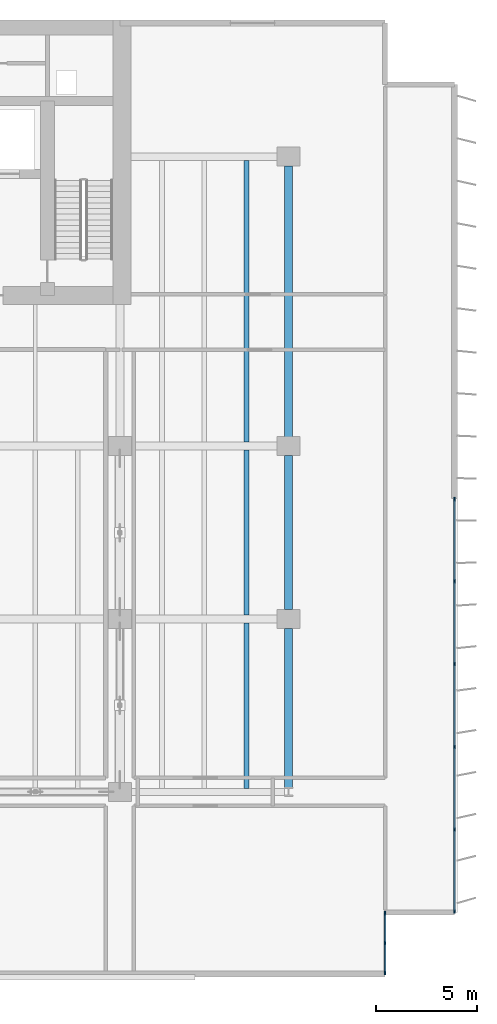
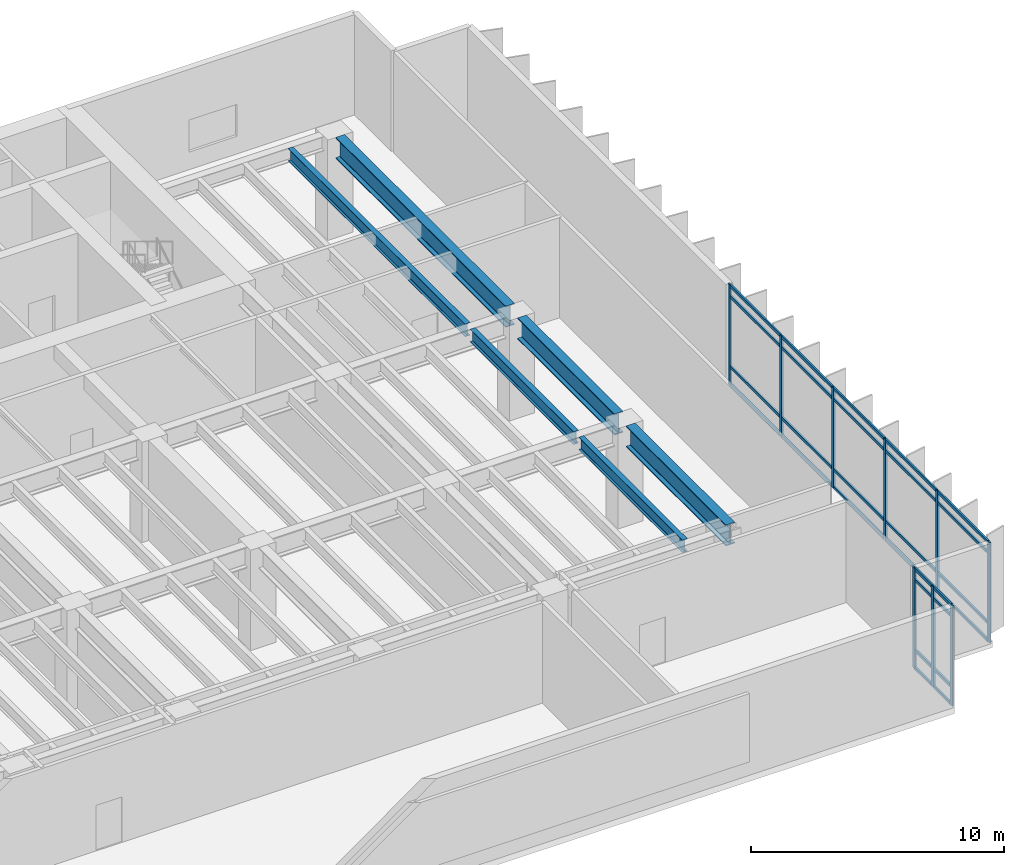
# One storey, part 10 of 21: 37 members, 6 beams, 2 elements without a shape of their own.
"""IFC4 building model written with IfcOpenShell, lengths in metres."""

from ifc_helpers import new_model, si_unit, direction, frame, origin, origin_2d, place, context, subcontext, project, spatial, rectangle, i_section, extrude, material, layer, layer_set, material_profile, profile_set, type_object, element, aggregate, save


model = new_model("IFC4")

# Units and contexts
model_context = context("Model", 3, precision=1e-05, world=origin(), true_north=direction((0.0, 1.0)))
body_context = subcontext(model_context, "Body", "Model", "MODEL_VIEW")
ifc_project = project(units=[si_unit("LENGTHUNIT", "METRE"), si_unit("AREAUNIT", "SQUARE_METRE"), si_unit("VOLUMEUNIT", "CUBIC_METRE"), si_unit("PLANEANGLEUNIT", "RADIAN"), si_unit("MASSUNIT", "GRAM", prefix="KILO")], contexts=[model_context])

# Site, building, storey
site_placement = place(None, origin())
site = spatial("IfcSite", under=ifc_project, at=site_placement, CompositionType="ELEMENT")
building_placement = place(site_placement, origin())
building = spatial("IfcBuilding", under=site, at=building_placement, Name="Caelmar Bay Residences", CompositionType="ELEMENT")
storey_placement = place(building_placement, frame((0.0, 0.0, 79.5)))
storey = spatial("IfcBuildingStorey", under=building, at=storey_placement, Name="L21", CompositionType="ELEMENT", Elevation=79.5)

# Beams
ifc_material_1 = material(Name="Steel ASTM A992 Grade 50", Category="steel")
ifc_material_profile_1 = material_profile(ifc_material_1, i_section(OverallWidth=0.404052734375, OverallDepth=1.02099609375, WebThickness=0.025390625, FlangeThickness=0.0458984375, FilletRadius=0.02294921875, at=origin_2d()), Name="W40X324")
ifc_profile_set_1 = profile_set([ifc_material_profile_1], Name="Steel ASTM A992 Grade 50")
beam_type_1 = type_object("IfcBeamType", Name="BM-GRD-W40X324", PredefinedType="BEAM", material=ifc_profile_set_1)
beam_1_placement = place(storey_placement, frame((67.89990234375, 12.427490234375, 4.339599609375), z_axis=(0.0, 1.0, 0.0), x_axis=(-1.0, 0.0, 0.0)))
element("IfcBeam", 1, at=beam_1_placement, inside=storey, type_object=beam_type_1, Name="L21 North-South Girder X=67.90 (12.2-20.8)", PredefinedType="BEAM", context=body_context, shape_type="SweptSolid", body=[
    extrude(i_section(OverallWidth=0.404052734375, OverallDepth=1.02099609375, WebThickness=0.025390625, FlangeThickness=0.0458984375, FilletRadius=0.02294921875, at=origin_2d()), origin(), (0.0, 0.0, 1.0), 7.907470703125),
])
beam_2_placement = place(storey_placement, frame((67.89990234375, 21.264892578125, 4.339599609375), z_axis=(0.0, 1.0, 0.0), x_axis=(-1.0, 0.0, 0.0)))
element("IfcBeam", 2, at=beam_2_placement, inside=storey, type_object=beam_type_1, Name="L21 North-South Girder X=67.90 (20.8-29.4)", PredefinedType="BEAM", context=body_context, shape_type="SweptSolid", body=[
    extrude(i_section(OverallWidth=0.404052734375, OverallDepth=1.02099609375, WebThickness=0.025390625, FlangeThickness=0.0458984375, FilletRadius=0.02294921875, at=origin_2d()), origin(), (0.0, 0.0, 1.0), 7.670166015625),
])
beam_3_placement = place(storey_placement, frame((67.89990234375, 29.864990234375, 4.339599609375), z_axis=(0.0, 1.0, 0.0), x_axis=(-1.0, 0.0, 0.0)))
element("IfcBeam", 3, at=beam_3_placement, inside=storey, type_object=beam_type_1, Name="L21 North-South Girder X=67.90 (29.4-43.8)", PredefinedType="BEAM", context=body_context, shape_type="SweptSolid", body=[
    extrude(i_section(OverallWidth=0.404052734375, OverallDepth=1.02099609375, WebThickness=0.025390625, FlangeThickness=0.0458984375, FilletRadius=0.02294921875, at=origin_2d()), origin(), (0.0, 0.0, 1.0), 13.469970703125),
])
ifc_material_profile_2 = material_profile(ifc_material_1, i_section(OverallWidth=0.22900390625, OverallDepth=0.612060546875, WebThickness=0.011962890625, FlangeThickness=0.01953125, FilletRadius=0.0126953125, at=origin_2d()), Name="W24X84")
ifc_profile_set_2 = profile_set([ifc_material_profile_2], Name="Steel ASTM A992 Grade 50")
beam_type_2 = type_object("IfcBeamType", Name="BM-JST-W24X84", PredefinedType="JOIST", material=ifc_profile_set_2)
beam_4_placement = place(storey_placement, frame((65.800048828125, 12.3779296875, 4.5439453125), z_axis=(0.0, 1.0, 0.0), x_axis=(-1.0, 0.0, 0.0)))
element("IfcBeam", 4, at=beam_4_placement, inside=storey, type_object=beam_type_2, Name="L21 Composite Floor Joist 21", PredefinedType="JOIST", context=body_context, shape_type="SweptSolid", body=[
    extrude(i_section(OverallWidth=0.22900390625, OverallDepth=0.612060546875, WebThickness=0.011962890625, FlangeThickness=0.01953125, FilletRadius=0.0126953125, at=origin_2d()), origin(), (0.0, 0.0, 1.0), 8.219970703125),
])
beam_5_placement = place(storey_placement, frame((65.800048828125, 21.001953125, 4.5439453125), z_axis=(0.0, 1.0, 0.0), x_axis=(-1.0, 0.0, 0.0)))
element("IfcBeam", 5, at=beam_5_placement, inside=storey, type_object=beam_type_2, Name="L21 Composite Floor Joist 42", PredefinedType="JOIST", context=body_context, shape_type="SweptSolid", body=[
    extrude(i_section(OverallWidth=0.22900390625, OverallDepth=0.612060546875, WebThickness=0.011962890625, FlangeThickness=0.01953125, FilletRadius=0.0126953125, at=origin_2d()), origin(), (0.0, 0.0, 1.0), 8.196044921875),
])
beam_6_placement = place(storey_placement, frame((65.800048828125, 29.60205078125, 4.5439453125), z_axis=(0.0, 1.0, 0.0), x_axis=(-1.0, 0.0, 0.0)))
element("IfcBeam", 6, at=beam_6_placement, inside=storey, type_object=beam_type_2, Name="L21 Composite Floor Joist 53", PredefinedType="JOIST", context=body_context, shape_type="SweptSolid", body=[
    extrude(i_section(OverallWidth=0.22900390625, OverallDepth=0.612060546875, WebThickness=0.011962890625, FlangeThickness=0.01953125, FilletRadius=0.0126953125, at=origin_2d()), origin(), (0.0, 0.0, 1.0), 14.02001953125),
])

# Curtain wall, members
ifc_material_2 = material(Name="Anodised bronze aluminium 6063-T6 and laminated glass", Category="aluminium")
ifc_layer_1 = layer(ifc_material_2, 0.179931640625)
ifc_layer_set_1 = layer_set([ifc_layer_1], Name="Anodised bronze aluminium 6063-T6 and laminated glass")
curtain_wall_type_1 = type_object("IfcCurtainWallType", Name="CW6-NTC", PredefinedType="NOTDEFINED", material=ifc_layer_set_1)
curtain_wall_1_placement = place(storey_placement, origin())
curtain_wall_1 = element("IfcCurtainWall", 7, at=curtain_wall_1_placement, inside=storey, type_object=curtain_wall_type_1, Name="CW6 curtain wall L21", PredefinedType="NOTDEFINED")
ifc_material_3 = material(Name="Anodised bronze aluminium 6063-T6", Category="aluminium")
ifc_material_profile_3 = material_profile(ifc_material_3, rectangle(XDim=0.080078125, YDim=0.179931640625, at=origin_2d()), Name="CWM-80X180")
ifc_profile_set_3 = profile_set([ifc_material_profile_3], Name="Anodised bronze aluminium 6063-T6")
member_type_1 = type_object("IfcMemberType", Name="CWM-180", PredefinedType="MULLION", material=ifc_profile_set_3)
member_1_placement = place(storey_placement, frame((72.699951171875, 3.18994140625, 0.0), z_axis=(0.0, 0.0, 1.0), x_axis=(-1.0, 0.0, 0.0)))
member_1 = element("IfcMember", 8, at=member_1_placement, type_object=member_type_1, Name="CW6 mullion 1", PredefinedType="MULLION", context=body_context, shape_type="SweptSolid", body=[
    extrude(rectangle(XDim=0.080078125, YDim=0.179931640625, at=origin_2d()), origin(), (0.0, 0.0, 1.0), 4.85009765625),
])
member_2_placement = place(storey_placement, frame((72.699951171875, 4.675048828125, 0.0), z_axis=(0.0, 0.0, 1.0), x_axis=(-1.0, 0.0, 0.0)))
member_2 = element("IfcMember", 9, at=member_2_placement, type_object=member_type_1, Name="CW6 mullion 2", PredefinedType="MULLION", context=body_context, shape_type="SweptSolid", body=[
    extrude(rectangle(XDim=0.080078125, YDim=0.179931640625, at=origin_2d()), origin(), (0.0, 0.0, 1.0), 4.85009765625),
])
member_3_placement = place(storey_placement, frame((72.699951171875, 6.159912109375, 0.0), z_axis=(0.0, 0.0, 1.0), x_axis=(-1.0, 0.0, 0.0)))
member_3 = element("IfcMember", 10, at=member_3_placement, type_object=member_type_1, Name="CW6 mullion 3", PredefinedType="MULLION", context=body_context, shape_type="SweptSolid", body=[
    extrude(rectangle(XDim=0.080078125, YDim=0.179931640625, at=origin_2d()), origin(), (0.0, 0.0, 1.0), 4.85009765625),
])

ifc_layer_2 = layer(ifc_material_2, 0.179931640625)
ifc_layer_set_2 = layer_set([ifc_layer_2], Name="Anodised bronze aluminium 6063-T6 and laminated glass")
curtain_wall_type_2 = type_object("IfcCurtainWallType", Name="CW2-Z1", PredefinedType="NOTDEFINED", material=ifc_layer_set_2)
curtain_wall_2_placement = place(storey_placement, origin())
curtain_wall_2 = element("IfcCurtainWall", 11, at=curtain_wall_2_placement, inside=storey, type_object=curtain_wall_type_2, Name="CW2 curtain wall L21", PredefinedType="NOTDEFINED")
member_4_placement = place(storey_placement, frame((76.14990234375, 26.760009765625, 0.0), z_axis=(0.0, 0.0, 1.0), x_axis=(1.0, 0.0, 0.0)))
member_4 = element("IfcMember", 12, at=member_4_placement, type_object=member_type_1, Name="CW2 mullion 1", PredefinedType="MULLION", context=body_context, shape_type="SweptSolid", body=[
    extrude(rectangle(XDim=0.080078125, YDim=0.179931640625, at=origin_2d()), origin(), (0.0, 0.0, 1.0), 4.85009765625),
])
member_5_placement = place(storey_placement, frame((76.14990234375, 22.679931640625, 0.0), z_axis=(0.0, 0.0, 1.0), x_axis=(1.0, 0.0, 0.0)))
member_5 = element("IfcMember", 13, at=member_5_placement, type_object=member_type_1, Name="CW2 mullion 2", PredefinedType="MULLION", context=body_context, shape_type="SweptSolid", body=[
    extrude(rectangle(XDim=0.080078125, YDim=0.179931640625, at=origin_2d()), origin(), (0.0, 0.0, 1.0), 4.85009765625),
])
member_6_placement = place(storey_placement, frame((76.14990234375, 18.56005859375, 0.0), z_axis=(0.0, 0.0, 1.0), x_axis=(1.0, 0.0, 0.0)))
member_6 = element("IfcMember", 14, at=member_6_placement, type_object=member_type_1, Name="CW2 mullion 3", PredefinedType="MULLION", context=body_context, shape_type="SweptSolid", body=[
    extrude(rectangle(XDim=0.080078125, YDim=0.179931640625, at=origin_2d()), origin(), (0.0, 0.0, 1.0), 4.85009765625),
])
member_7_placement = place(storey_placement, frame((76.14990234375, 14.43994140625, 0.0), z_axis=(0.0, 0.0, 1.0), x_axis=(1.0, 0.0, 0.0)))
member_7 = element("IfcMember", 15, at=member_7_placement, type_object=member_type_1, Name="CW2 mullion 4", PredefinedType="MULLION", context=body_context, shape_type="SweptSolid", body=[
    extrude(rectangle(XDim=0.080078125, YDim=0.179931640625, at=origin_2d()), origin(), (0.0, 0.0, 1.0), 4.85009765625),
])
member_8_placement = place(storey_placement, frame((76.14990234375, 10.320068359375, 0.0), z_axis=(0.0, 0.0, 1.0), x_axis=(1.0, 0.0, 0.0)))
member_8 = element("IfcMember", 16, at=member_8_placement, type_object=member_type_1, Name="CW2 mullion 5", PredefinedType="MULLION", context=body_context, shape_type="SweptSolid", body=[
    extrude(rectangle(XDim=0.080078125, YDim=0.179931640625, at=origin_2d()), origin(), (0.0, 0.0, 1.0), 4.85009765625),
])
member_9_placement = place(storey_placement, frame((76.14990234375, 6.239990234375, 0.0), z_axis=(0.0, 0.0, 1.0), x_axis=(1.0, 0.0, 0.0)))
member_9 = element("IfcMember", 17, at=member_9_placement, type_object=member_type_1, Name="CW2 mullion 6", PredefinedType="MULLION", context=body_context, shape_type="SweptSolid", body=[
    extrude(rectangle(XDim=0.080078125, YDim=0.179931640625, at=origin_2d()), origin(), (0.0, 0.0, 1.0), 4.85009765625),
])

# Member
ifc_material_profile_4 = material_profile(ifc_material_3, rectangle(XDim=0.080078125, YDim=0.139892578125, at=origin_2d()), Name="CWT-80X140")
ifc_profile_set_4 = profile_set([ifc_material_profile_4], Name="Anodised bronze aluminium 6063-T6")
member_type_2 = type_object("IfcMemberType", Name="CWT-140", PredefinedType="NOTDEFINED", material=ifc_profile_set_4)
member_10_placement = place(storey_placement, frame((72.699951171875, 3.22998046875, 0.0400390625), z_axis=(0.0, 1.0, 0.0), x_axis=(-1.0, 0.0, 0.0)))
member_10 = element("IfcMember", 18, at=member_10_placement, type_object=member_type_2, Name="CW6 transom 1.1", ObjectType="TRANSOM", PredefinedType="USERDEFINED", context=body_context, shape_type="SweptSolid", body=[
    extrude(rectangle(XDim=0.080078125, YDim=0.139892578125, at=origin_2d()), origin(), (0.0, 0.0, 1.0), 1.405029296875),
])

member_11_placement = place(storey_placement, frame((72.699951171875, 3.22998046875, 0.89990234375), z_axis=(0.0, 1.0, 0.0), x_axis=(-1.0, 0.0, 0.0)))
member_11 = element("IfcMember", 19, at=member_11_placement, type_object=member_type_2, Name="CW6 transom 1.2", ObjectType="TRANSOM", PredefinedType="USERDEFINED", context=body_context, shape_type="SweptSolid", body=[
    extrude(rectangle(XDim=0.080078125, YDim=0.139892578125, at=origin_2d()), origin(), (0.0, 0.0, 1.0), 1.405029296875),
])

member_12_placement = place(storey_placement, frame((72.699951171875, 3.22998046875, 4.300048828125), z_axis=(0.0, 1.0, 0.0), x_axis=(-1.0, 0.0, 0.0)))
member_12 = element("IfcMember", 20, at=member_12_placement, type_object=member_type_2, Name="CW6 transom 1.3", ObjectType="TRANSOM", PredefinedType="USERDEFINED", context=body_context, shape_type="SweptSolid", body=[
    extrude(rectangle(XDim=0.080078125, YDim=0.139892578125, at=origin_2d()), origin(), (0.0, 0.0, 1.0), 1.405029296875),
])

member_13_placement = place(storey_placement, frame((72.699951171875, 3.22998046875, 4.81005859375), z_axis=(0.0, 1.0, 0.0), x_axis=(-1.0, 0.0, 0.0)))
member_13 = element("IfcMember", 21, at=member_13_placement, type_object=member_type_2, Name="CW6 transom 1.4", ObjectType="TRANSOM", PredefinedType="USERDEFINED", context=body_context, shape_type="SweptSolid", body=[
    extrude(rectangle(XDim=0.080078125, YDim=0.139892578125, at=origin_2d()), origin(), (0.0, 0.0, 1.0), 1.405029296875),
])

member_14_placement = place(storey_placement, frame((72.699951171875, 4.715087890625, 0.0400390625), z_axis=(0.0, 1.0, 0.0), x_axis=(-1.0, 0.0, 0.0)))
member_14 = element("IfcMember", 22, at=member_14_placement, type_object=member_type_2, Name="CW6 transom 2.1", ObjectType="TRANSOM", PredefinedType="USERDEFINED", context=body_context, shape_type="SweptSolid", body=[
    extrude(rectangle(XDim=0.080078125, YDim=0.139892578125, at=origin_2d()), origin(), (0.0, 0.0, 1.0), 1.405029296875),
])

member_15_placement = place(storey_placement, frame((72.699951171875, 4.715087890625, 0.89990234375), z_axis=(0.0, 1.0, 0.0), x_axis=(-1.0, 0.0, 0.0)))
member_15 = element("IfcMember", 23, at=member_15_placement, type_object=member_type_2, Name="CW6 transom 2.2", ObjectType="TRANSOM", PredefinedType="USERDEFINED", context=body_context, shape_type="SweptSolid", body=[
    extrude(rectangle(XDim=0.080078125, YDim=0.139892578125, at=origin_2d()), origin(), (0.0, 0.0, 1.0), 1.405029296875),
])

member_16_placement = place(storey_placement, frame((72.699951171875, 4.715087890625, 4.300048828125), z_axis=(0.0, 1.0, 0.0), x_axis=(-1.0, 0.0, 0.0)))
member_16 = element("IfcMember", 24, at=member_16_placement, type_object=member_type_2, Name="CW6 transom 2.3", ObjectType="TRANSOM", PredefinedType="USERDEFINED", context=body_context, shape_type="SweptSolid", body=[
    extrude(rectangle(XDim=0.080078125, YDim=0.139892578125, at=origin_2d()), origin(), (0.0, 0.0, 1.0), 1.405029296875),
])

member_17_placement = place(storey_placement, frame((72.699951171875, 4.715087890625, 4.81005859375), z_axis=(0.0, 1.0, 0.0), x_axis=(-1.0, 0.0, 0.0)))
member_17 = element("IfcMember", 25, at=member_17_placement, type_object=member_type_2, Name="CW6 transom 2.4", ObjectType="TRANSOM", PredefinedType="USERDEFINED", context=body_context, shape_type="SweptSolid", body=[
    extrude(rectangle(XDim=0.080078125, YDim=0.139892578125, at=origin_2d()), origin(), (0.0, 0.0, 1.0), 1.405029296875),
])

aggregate(curtain_wall_1, [member_1, member_2, member_3, member_10, member_11, member_12, member_13, member_14, member_15, member_16, member_17])

member_18_placement = place(storey_placement, frame((76.14990234375, 26.719970703125, 0.0400390625), z_axis=(0.0, -1.0, 0.0), x_axis=(1.0, 0.0, 0.0)))
member_18 = element("IfcMember", 26, at=member_18_placement, type_object=member_type_2, Name="CW2 transom 1.1", ObjectType="TRANSOM", PredefinedType="USERDEFINED", context=body_context, shape_type="SweptSolid", body=[
    extrude(rectangle(XDim=0.080078125, YDim=0.139892578125, at=origin_2d()), origin(), (0.0, 0.0, 1.0), 4.0),
])

member_19_placement = place(storey_placement, frame((76.14990234375, 26.719970703125, 0.89990234375), z_axis=(0.0, -1.0, 0.0), x_axis=(1.0, 0.0, 0.0)))
member_19 = element("IfcMember", 27, at=member_19_placement, type_object=member_type_2, Name="CW2 transom 1.2", ObjectType="TRANSOM", PredefinedType="USERDEFINED", context=body_context, shape_type="SweptSolid", body=[
    extrude(rectangle(XDim=0.080078125, YDim=0.139892578125, at=origin_2d()), origin(), (0.0, 0.0, 1.0), 4.0),
])

member_20_placement = place(storey_placement, frame((76.14990234375, 26.719970703125, 4.300048828125), z_axis=(0.0, -1.0, 0.0), x_axis=(1.0, 0.0, 0.0)))
member_20 = element("IfcMember", 28, at=member_20_placement, type_object=member_type_2, Name="CW2 transom 1.3", ObjectType="TRANSOM", PredefinedType="USERDEFINED", context=body_context, shape_type="SweptSolid", body=[
    extrude(rectangle(XDim=0.080078125, YDim=0.139892578125, at=origin_2d()), origin(), (0.0, 0.0, 1.0), 4.0),
])

member_21_placement = place(storey_placement, frame((76.14990234375, 26.719970703125, 4.81005859375), z_axis=(0.0, -1.0, 0.0), x_axis=(1.0, 0.0, 0.0)))
member_21 = element("IfcMember", 29, at=member_21_placement, type_object=member_type_2, Name="CW2 transom 1.4", ObjectType="TRANSOM", PredefinedType="USERDEFINED", context=body_context, shape_type="SweptSolid", body=[
    extrude(rectangle(XDim=0.080078125, YDim=0.139892578125, at=origin_2d()), origin(), (0.0, 0.0, 1.0), 4.0),
])

member_22_placement = place(storey_placement, frame((76.14990234375, 22.639892578125, 0.0400390625), z_axis=(0.0, -1.0, 0.0), x_axis=(1.0, 0.0, 0.0)))
member_22 = element("IfcMember", 30, at=member_22_placement, type_object=member_type_2, Name="CW2 transom 2.1", ObjectType="TRANSOM", PredefinedType="USERDEFINED", context=body_context, shape_type="SweptSolid", body=[
    extrude(rectangle(XDim=0.080078125, YDim=0.139892578125, at=origin_2d()), origin(), (0.0, 0.0, 1.0), 4.039794921875),
])

member_23_placement = place(storey_placement, frame((76.14990234375, 22.639892578125, 0.89990234375), z_axis=(0.0, -1.0, 0.0), x_axis=(1.0, 0.0, 0.0)))
member_23 = element("IfcMember", 31, at=member_23_placement, type_object=member_type_2, Name="CW2 transom 2.2", ObjectType="TRANSOM", PredefinedType="USERDEFINED", context=body_context, shape_type="SweptSolid", body=[
    extrude(rectangle(XDim=0.080078125, YDim=0.139892578125, at=origin_2d()), origin(), (0.0, 0.0, 1.0), 4.039794921875),
])

member_24_placement = place(storey_placement, frame((76.14990234375, 22.639892578125, 4.300048828125), z_axis=(0.0, -1.0, 0.0), x_axis=(1.0, 0.0, 0.0)))
member_24 = element("IfcMember", 32, at=member_24_placement, type_object=member_type_2, Name="CW2 transom 2.3", ObjectType="TRANSOM", PredefinedType="USERDEFINED", context=body_context, shape_type="SweptSolid", body=[
    extrude(rectangle(XDim=0.080078125, YDim=0.139892578125, at=origin_2d()), origin(), (0.0, 0.0, 1.0), 4.039794921875),
])

member_25_placement = place(storey_placement, frame((76.14990234375, 22.639892578125, 4.81005859375), z_axis=(0.0, -1.0, 0.0), x_axis=(1.0, 0.0, 0.0)))
member_25 = element("IfcMember", 33, at=member_25_placement, type_object=member_type_2, Name="CW2 transom 2.4", ObjectType="TRANSOM", PredefinedType="USERDEFINED", context=body_context, shape_type="SweptSolid", body=[
    extrude(rectangle(XDim=0.080078125, YDim=0.139892578125, at=origin_2d()), origin(), (0.0, 0.0, 1.0), 4.039794921875),
])

member_26_placement = place(storey_placement, frame((76.14990234375, 18.52001953125, 0.0400390625), z_axis=(0.0, -1.0, 0.0), x_axis=(1.0, 0.0, 0.0)))
member_26 = element("IfcMember", 34, at=member_26_placement, type_object=member_type_2, Name="CW2 transom 3.1", ObjectType="TRANSOM", PredefinedType="USERDEFINED", context=body_context, shape_type="SweptSolid", body=[
    extrude(rectangle(XDim=0.080078125, YDim=0.139892578125, at=origin_2d()), origin(), (0.0, 0.0, 1.0), 4.0400390625),
])

member_27_placement = place(storey_placement, frame((76.14990234375, 18.52001953125, 0.89990234375), z_axis=(0.0, -1.0, 0.0), x_axis=(1.0, 0.0, 0.0)))
member_27 = element("IfcMember", 35, at=member_27_placement, type_object=member_type_2, Name="CW2 transom 3.2", ObjectType="TRANSOM", PredefinedType="USERDEFINED", context=body_context, shape_type="SweptSolid", body=[
    extrude(rectangle(XDim=0.080078125, YDim=0.139892578125, at=origin_2d()), origin(), (0.0, 0.0, 1.0), 4.0400390625),
])

member_28_placement = place(storey_placement, frame((76.14990234375, 18.52001953125, 4.300048828125), z_axis=(0.0, -1.0, 0.0), x_axis=(1.0, 0.0, 0.0)))
member_28 = element("IfcMember", 36, at=member_28_placement, type_object=member_type_2, Name="CW2 transom 3.3", ObjectType="TRANSOM", PredefinedType="USERDEFINED", context=body_context, shape_type="SweptSolid", body=[
    extrude(rectangle(XDim=0.080078125, YDim=0.139892578125, at=origin_2d()), origin(), (0.0, 0.0, 1.0), 4.0400390625),
])

member_29_placement = place(storey_placement, frame((76.14990234375, 18.52001953125, 4.81005859375), z_axis=(0.0, -1.0, 0.0), x_axis=(1.0, 0.0, 0.0)))
member_29 = element("IfcMember", 37, at=member_29_placement, type_object=member_type_2, Name="CW2 transom 3.4", ObjectType="TRANSOM", PredefinedType="USERDEFINED", context=body_context, shape_type="SweptSolid", body=[
    extrude(rectangle(XDim=0.080078125, YDim=0.139892578125, at=origin_2d()), origin(), (0.0, 0.0, 1.0), 4.0400390625),
])

member_30_placement = place(storey_placement, frame((76.14990234375, 14.39990234375, 0.0400390625), z_axis=(0.0, -1.0, 0.0), x_axis=(1.0, 0.0, 0.0)))
member_30 = element("IfcMember", 38, at=member_30_placement, type_object=member_type_2, Name="CW2 transom 4.1", ObjectType="TRANSOM", PredefinedType="USERDEFINED", context=body_context, shape_type="SweptSolid", body=[
    extrude(rectangle(XDim=0.080078125, YDim=0.139892578125, at=origin_2d()), origin(), (0.0, 0.0, 1.0), 4.039794921875),
])

member_31_placement = place(storey_placement, frame((76.14990234375, 14.39990234375, 0.89990234375), z_axis=(0.0, -1.0, 0.0), x_axis=(1.0, 0.0, 0.0)))
member_31 = element("IfcMember", 39, at=member_31_placement, type_object=member_type_2, Name="CW2 transom 4.2", ObjectType="TRANSOM", PredefinedType="USERDEFINED", context=body_context, shape_type="SweptSolid", body=[
    extrude(rectangle(XDim=0.080078125, YDim=0.139892578125, at=origin_2d()), origin(), (0.0, 0.0, 1.0), 4.039794921875),
])

member_32_placement = place(storey_placement, frame((76.14990234375, 14.39990234375, 4.300048828125), z_axis=(0.0, -1.0, 0.0), x_axis=(1.0, 0.0, 0.0)))
member_32 = element("IfcMember", 40, at=member_32_placement, type_object=member_type_2, Name="CW2 transom 4.3", ObjectType="TRANSOM", PredefinedType="USERDEFINED", context=body_context, shape_type="SweptSolid", body=[
    extrude(rectangle(XDim=0.080078125, YDim=0.139892578125, at=origin_2d()), origin(), (0.0, 0.0, 1.0), 4.039794921875),
])

member_33_placement = place(storey_placement, frame((76.14990234375, 14.39990234375, 4.81005859375), z_axis=(0.0, -1.0, 0.0), x_axis=(1.0, 0.0, 0.0)))
member_33 = element("IfcMember", 41, at=member_33_placement, type_object=member_type_2, Name="CW2 transom 4.4", ObjectType="TRANSOM", PredefinedType="USERDEFINED", context=body_context, shape_type="SweptSolid", body=[
    extrude(rectangle(XDim=0.080078125, YDim=0.139892578125, at=origin_2d()), origin(), (0.0, 0.0, 1.0), 4.039794921875),
])

member_34_placement = place(storey_placement, frame((76.14990234375, 10.280029296875, 0.0400390625), z_axis=(0.0, -1.0, 0.0), x_axis=(1.0, 0.0, 0.0)))
member_34 = element("IfcMember", 42, at=member_34_placement, type_object=member_type_2, Name="CW2 transom 5.1", ObjectType="TRANSOM", PredefinedType="USERDEFINED", context=body_context, shape_type="SweptSolid", body=[
    extrude(rectangle(XDim=0.080078125, YDim=0.139892578125, at=origin_2d()), origin(), (0.0, 0.0, 1.0), 4.0),
])

member_35_placement = place(storey_placement, frame((76.14990234375, 10.280029296875, 0.89990234375), z_axis=(0.0, -1.0, 0.0), x_axis=(1.0, 0.0, 0.0)))
member_35 = element("IfcMember", 43, at=member_35_placement, type_object=member_type_2, Name="CW2 transom 5.2", ObjectType="TRANSOM", PredefinedType="USERDEFINED", context=body_context, shape_type="SweptSolid", body=[
    extrude(rectangle(XDim=0.080078125, YDim=0.139892578125, at=origin_2d()), origin(), (0.0, 0.0, 1.0), 4.0),
])

member_36_placement = place(storey_placement, frame((76.14990234375, 10.280029296875, 4.300048828125), z_axis=(0.0, -1.0, 0.0), x_axis=(1.0, 0.0, 0.0)))
member_36 = element("IfcMember", 44, at=member_36_placement, type_object=member_type_2, Name="CW2 transom 5.3", ObjectType="TRANSOM", PredefinedType="USERDEFINED", context=body_context, shape_type="SweptSolid", body=[
    extrude(rectangle(XDim=0.080078125, YDim=0.139892578125, at=origin_2d()), origin(), (0.0, 0.0, 1.0), 4.0),
])

member_37_placement = place(storey_placement, frame((76.14990234375, 10.280029296875, 4.81005859375), z_axis=(0.0, -1.0, 0.0), x_axis=(1.0, 0.0, 0.0)))
member_37 = element("IfcMember", 45, at=member_37_placement, type_object=member_type_2, Name="CW2 transom 5.4", ObjectType="TRANSOM", PredefinedType="USERDEFINED", context=body_context, shape_type="SweptSolid", body=[
    extrude(rectangle(XDim=0.080078125, YDim=0.139892578125, at=origin_2d()), origin(), (0.0, 0.0, 1.0), 4.0),
])

aggregate(curtain_wall_2, [member_4, member_5, member_6, member_7, member_8, member_9, member_18, member_19, member_20, member_21, member_22, member_23, member_24, member_25, member_26, member_27, member_28, member_29, member_30, member_31, member_32, member_33, member_34, member_35, member_36, member_37])

save(model, "model.ifc")
